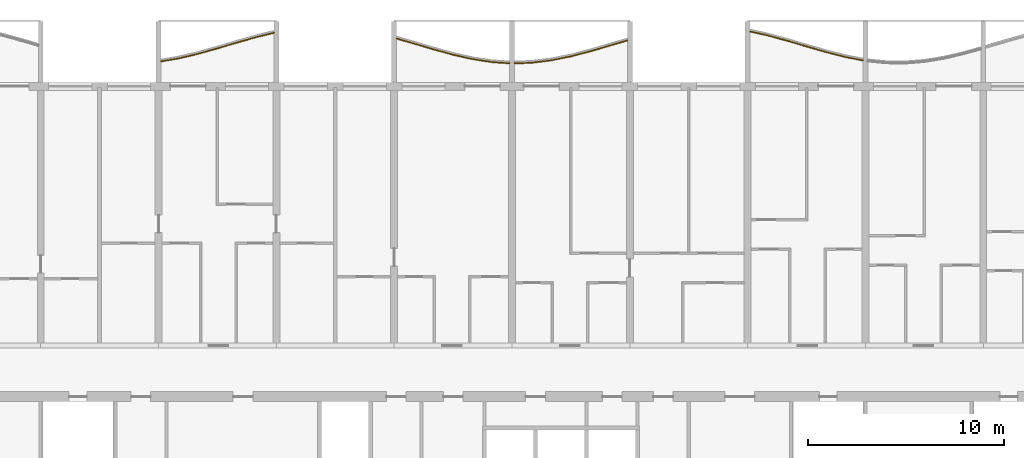
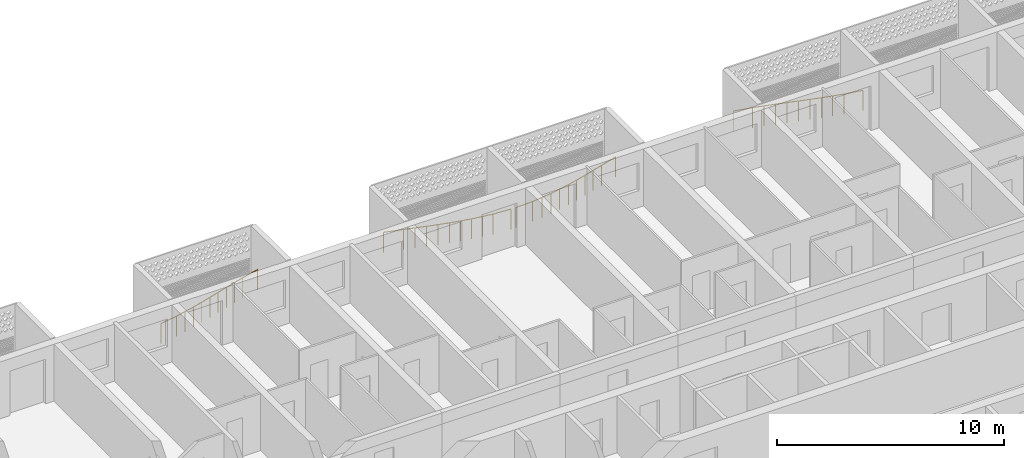
# One storey, part 22 of 26: 4 railings.
"""IFC4 building model written with IfcOpenShell, lengths in metres."""

from ifc_helpers import new_model, si_unit, direction, frame, origin, origin_2d, place, context, subcontext, project, spatial, circle, extrude, material, type_object, element, save


model = new_model("IFC4")

# Units and contexts
model_context = context("Model", 3, precision=1e-05, world=origin(), true_north=direction((0.0, 1.0)))
body_context = subcontext(model_context, "Body", "Model", "MODEL_VIEW")
ifc_project = project(units=[si_unit("LENGTHUNIT", "METRE"), si_unit("AREAUNIT", "SQUARE_METRE"), si_unit("VOLUMEUNIT", "CUBIC_METRE"), si_unit("PLANEANGLEUNIT", "RADIAN"), si_unit("MASSUNIT", "GRAM", prefix="KILO")], contexts=[model_context])

# Site, building, storey
site_placement = place(None, origin())
site = spatial("IfcSite", under=ifc_project, at=site_placement, CompositionType="ELEMENT")
building_placement = place(site_placement, origin())
building = spatial("IfcBuilding", under=site, at=building_placement, Name="Poui Terraces", CompositionType="ELEMENT")
storey_placement = place(building_placement, frame((0.0, 0.0, 96.0)))
storey = spatial("IfcBuildingStorey", under=building, at=storey_placement, Name="L26", CompositionType="ELEMENT", Elevation=96.0)

# Railings
ifc_material = material(Name="Painted steel fretwork", Category="steel")
railing_type = type_object("IfcRailingType", Name="BALCONY GUARD 1100", PredefinedType="GUARDRAIL", material=ifc_material)
railing_1_placement = place(storey_placement, frame((36.125, 44.870361328125, 0.0)))
element("IfcRailing", 1, at=railing_1_placement, inside=storey, type_object=railing_type, Name="BALCONY GUARD", PredefinedType="GUARDRAIL", context=body_context, shape_type="SweptSolid", body=[
    extrude(circle(Radius=0.02392578125, at=origin_2d()), frame((0.0, 0.0, 1.076171875), z_axis=(0.985823105924, 0.167787972828, 0.0), x_axis=(-0.167787972828, 0.985823105924, 0.0)), (0.0, 0.0, 1.0), 0.8876953125),
    extrude(circle(Radius=0.02392578125, at=origin_2d()), frame((0.875, 0.14892578125, 1.076171875), z_axis=(0.973510598085, 0.228641893398, 0.0), x_axis=(-0.228641893398, 0.973510598085, 0.0)), (0.0, 0.0, 1.0), 1.027099609375),
    extrude(circle(Radius=0.02392578125, at=origin_2d()), frame((1.875, 0.3837890625, 1.076171875), z_axis=(0.962895626656, 0.269874067237, 0.0), x_axis=(-0.269874067237, 0.962895626656, 0.0)), (0.0, 0.0, 1.0), 1.03857421875),
    extrude(circle(Radius=0.02392578125, at=origin_2d()), frame((2.875, 0.6640625, 1.076171875), z_axis=(0.958710700624, 0.284383179018, 0.0), x_axis=(-0.284383179018, 0.958710700624, 0.0)), (0.0, 0.0, 1.0), 1.04296875),
    extrude(circle(Radius=0.02392578125, at=origin_2d()), frame((3.875, 0.960693359375, 1.076171875), z_axis=(0.962282666556, 0.272051593719, 0.0), x_axis=(-0.272051593719, 0.962282666556, 0.0)), (0.0, 0.0, 1.0), 1.039306640625),
    extrude(circle(Radius=0.02392578125, at=origin_2d()), frame((4.875, 1.243408203125, 1.076171875), z_axis=(0.971591834647, 0.236662854812, 0.0), x_axis=(-0.236662854812, 0.971591834647, 0.0)), (0.0, 0.0, 1.0), 0.900634765625),
    extrude(circle(Radius=0.02099609375, at=origin_2d()), origin(), (0.0, 0.0, 1.0), 1.052001953125),
    extrude(circle(Radius=0.02099609375, at=origin_2d()), frame((0.875, 0.14892578125, 0.0)), (0.0, 0.0, 1.0), 1.052001953125),
    extrude(circle(Radius=0.02099609375, at=origin_2d()), frame((1.375, 0.266357421875, 0.0)), (0.0, 0.0, 1.0), 1.052001953125),
    extrude(circle(Radius=0.02099609375, at=origin_2d()), frame((1.875, 0.3837890625, 0.0)), (0.0, 0.0, 1.0), 1.052001953125),
    extrude(circle(Radius=0.02099609375, at=origin_2d()), frame((2.375, 0.52392578125, 0.0)), (0.0, 0.0, 1.0), 1.052001953125),
    extrude(circle(Radius=0.02099609375, at=origin_2d()), frame((2.875, 0.6640625, 0.0)), (0.0, 0.0, 1.0), 1.052001953125),
    extrude(circle(Radius=0.02099609375, at=origin_2d()), frame((3.375, 0.8125, 0.0)), (0.0, 0.0, 1.0), 1.052001953125),
    extrude(circle(Radius=0.02099609375, at=origin_2d()), frame((3.875, 0.960693359375, 0.0)), (0.0, 0.0, 1.0), 1.052001953125),
    extrude(circle(Radius=0.02099609375, at=origin_2d()), frame((4.375, 1.10205078125, 0.0)), (0.0, 0.0, 1.0), 1.052001953125),
    extrude(circle(Radius=0.02099609375, at=origin_2d()), frame((4.875, 1.243408203125, 0.0)), (0.0, 0.0, 1.0), 1.052001953125),
    extrude(circle(Radius=0.02099609375, at=origin_2d()), frame((5.75, 1.45654296875, 0.0)), (0.0, 0.0, 1.0), 1.052001953125),
])
railing_2_placement = place(storey_placement, frame((48.125, 46.03466796875, 0.0)))
element("IfcRailing", 2, at=railing_2_placement, inside=storey, type_object=railing_type, Name="BALCONY GUARD", PredefinedType="GUARDRAIL", context=body_context, shape_type="SweptSolid", body=[
    extrude(circle(Radius=0.02392578125, at=origin_2d()), frame((0.0, 0.0, 1.076171875), z_axis=(0.960669700127, -0.277693585193, 0.0), x_axis=(0.277693585193, 0.960669700127, 0.0)), (0.0, 0.0, 1.0), 0.910888671875),
    extrude(circle(Radius=0.02392578125, at=origin_2d()), frame((0.875, -0.2529296875, 1.076171875), z_axis=(0.958838249952, -0.283952831346, 0.0), x_axis=(0.283952831346, 0.958838249952, 0.0)), (0.0, 0.0, 1.0), 1.04296875),
    extrude(circle(Radius=0.02392578125, at=origin_2d()), frame((1.875, -0.549072265625, 1.076171875), z_axis=(0.964349713042, -0.264631122426, 0.0), x_axis=(0.264631122426, 0.964349713042, 0.0)), (0.0, 0.0, 1.0), 1.036865234375),
    extrude(circle(Radius=0.02392578125, at=origin_2d()), frame((2.875, -0.823486328125, 1.076171875), z_axis=(0.975640353268, -0.219376163418, 0.0), x_axis=(0.219376163418, 0.975640353268, 0.0)), (0.0, 0.0, 1.0), 1.02490234375),
    extrude(circle(Radius=0.02392578125, at=origin_2d()), frame((3.875, -1.04833984375, 1.076171875), z_axis=(0.988701415616, -0.149898334741, 0.0), x_axis=(0.149898334741, 0.988701415616, 0.0)), (0.0, 0.0, 1.0), 1.011474609375),
    extrude(circle(Radius=0.02392578125, at=origin_2d()), frame((4.875, -1.199951171875, 1.076171875), z_axis=(0.997614490352, -0.069031359823, 0.0), x_axis=(0.069031359823, 0.997614490352, 0.0)), (0.0, 0.0, 1.0), 0.877197265625),
    extrude(circle(Radius=0.02099609375, at=origin_2d()), origin(), (0.0, 0.0, 1.0), 1.052001953125),
    extrude(circle(Radius=0.02099609375, at=origin_2d()), frame((0.875, -0.2529296875, 0.0)), (0.0, 0.0, 1.0), 1.052001953125),
    extrude(circle(Radius=0.02099609375, at=origin_2d()), frame((1.375, -0.40087890625, 0.0)), (0.0, 0.0, 1.0), 1.052001953125),
    extrude(circle(Radius=0.02099609375, at=origin_2d()), frame((1.875, -0.549072265625, 0.0)), (0.0, 0.0, 1.0), 1.052001953125),
    extrude(circle(Radius=0.02099609375, at=origin_2d()), frame((2.375, -0.686279296875, 0.0)), (0.0, 0.0, 1.0), 1.052001953125),
    extrude(circle(Radius=0.02099609375, at=origin_2d()), frame((2.875, -0.823486328125, 0.0)), (0.0, 0.0, 1.0), 1.052001953125),
    extrude(circle(Radius=0.02099609375, at=origin_2d()), frame((3.375, -0.93603515625, 0.0)), (0.0, 0.0, 1.0), 1.052001953125),
    extrude(circle(Radius=0.02099609375, at=origin_2d()), frame((3.875, -1.04833984375, 0.0)), (0.0, 0.0, 1.0), 1.052001953125),
    extrude(circle(Radius=0.02099609375, at=origin_2d()), frame((4.375, -1.1240234375, 0.0)), (0.0, 0.0, 1.0), 1.052001953125),
    extrude(circle(Radius=0.02099609375, at=origin_2d()), frame((4.875, -1.199951171875, 0.0)), (0.0, 0.0, 1.0), 1.052001953125),
    extrude(circle(Radius=0.02099609375, at=origin_2d()), frame((5.75, -1.260498046875, 0.0)), (0.0, 0.0, 1.0), 1.052001953125),
])
railing_3_placement = place(storey_placement, frame((54.125, 44.77001953125, 0.0)))
element("IfcRailing", 3, at=railing_3_placement, inside=storey, type_object=railing_type, Name="BALCONY GUARD", PredefinedType="GUARDRAIL", context=body_context, shape_type="SweptSolid", body=[
    extrude(circle(Radius=0.02392578125, at=origin_2d()), frame((0.0, 0.0, 1.076171875), z_axis=(0.999291337102, 0.037640717218, 0.0), x_axis=(-0.037640717218, 0.999291337102, 0.0)), (0.0, 0.0, 1.0), 0.875732421875),
    extrude(circle(Radius=0.02392578125, at=origin_2d()), frame((0.875, 0.032958984375, 1.076171875), z_axis=(0.992426262271, 0.122841824944, 0.0), x_axis=(-0.122841824944, 0.992426262271, 0.0)), (0.0, 0.0, 1.0), 1.007568359375),
    extrude(circle(Radius=0.02392578125, at=origin_2d()), frame((1.875, 0.15673828125, 1.076171875), z_axis=(0.980080566497, 0.198600310106, 0.0), x_axis=(-0.198600310106, 0.980080566497, 0.0)), (0.0, 0.0, 1.0), 1.020263671875),
    extrude(circle(Radius=0.02392578125, at=origin_2d()), frame((2.875, 0.359375, 1.076171875), z_axis=(0.967589671846, 0.252527675587, 0.0), x_axis=(-0.252527675587, 0.967589671846, 0.0)), (0.0, 0.0, 1.0), 1.033447265625),
    extrude(circle(Radius=0.02392578125, at=origin_2d()), frame((3.875, 0.620361328125, 1.076171875), z_axis=(0.959852890267, 0.280503884192, 0.0), x_axis=(-0.280503884192, 0.959852890267, 0.0)), (0.0, 0.0, 1.0), 1.041748046875),
    extrude(circle(Radius=0.02392578125, at=origin_2d()), frame((4.875, 0.91259765625, 1.076171875), z_axis=(0.959229011415, 0.282629976578, 0.0), x_axis=(-0.282629976578, 0.959229011415, 0.0)), (0.0, 0.0, 1.0), 0.912109375),
    extrude(circle(Radius=0.02099609375, at=origin_2d()), origin(), (0.0, 0.0, 1.0), 1.052001953125),
    extrude(circle(Radius=0.02099609375, at=origin_2d()), frame((0.875, 0.032958984375, 0.0)), (0.0, 0.0, 1.0), 1.052001953125),
    extrude(circle(Radius=0.02099609375, at=origin_2d()), frame((1.375, 0.0947265625, 0.0)), (0.0, 0.0, 1.0), 1.052001953125),
    extrude(circle(Radius=0.02099609375, at=origin_2d()), frame((1.875, 0.15673828125, 0.0)), (0.0, 0.0, 1.0), 1.052001953125),
    extrude(circle(Radius=0.02099609375, at=origin_2d()), frame((2.375, 0.258056640625, 0.0)), (0.0, 0.0, 1.0), 1.052001953125),
    extrude(circle(Radius=0.02099609375, at=origin_2d()), frame((2.875, 0.359375, 0.0)), (0.0, 0.0, 1.0), 1.052001953125),
    extrude(circle(Radius=0.02099609375, at=origin_2d()), frame((3.375, 0.48974609375, 0.0)), (0.0, 0.0, 1.0), 1.052001953125),
    extrude(circle(Radius=0.02099609375, at=origin_2d()), frame((3.875, 0.620361328125, 0.0)), (0.0, 0.0, 1.0), 1.052001953125),
    extrude(circle(Radius=0.02099609375, at=origin_2d()), frame((4.375, 0.7666015625, 0.0)), (0.0, 0.0, 1.0), 1.052001953125),
    extrude(circle(Radius=0.02099609375, at=origin_2d()), frame((4.875, 0.91259765625, 0.0)), (0.0, 0.0, 1.0), 1.052001953125),
    extrude(circle(Radius=0.02099609375, at=origin_2d()), frame((5.75, 1.17041015625, 0.0)), (0.0, 0.0, 1.0), 1.052001953125),
])
railing_4_placement = place(storey_placement, frame((66.125, 46.3955078125, 0.0)))
element("IfcRailing", 4, at=railing_4_placement, inside=storey, type_object=railing_type, Name="BALCONY GUARD", PredefinedType="GUARDRAIL", context=body_context, shape_type="SweptSolid", body=[
    extrude(circle(Radius=0.02392578125, at=origin_2d()), frame((0.0, 0.0, 1.076171875), z_axis=(0.975865661819, -0.218371724548, 0.0), x_axis=(0.218371724548, 0.975865661819, 0.0)), (0.0, 0.0, 1.0), 0.896728515625),
    extrude(circle(Radius=0.02392578125, at=origin_2d()), frame((0.875, -0.19580078125, 1.076171875), z_axis=(0.965127211662, -0.261781331093, 0.0), x_axis=(0.261781331093, 0.965127211662, 0.0)), (0.0, 0.0, 1.0), 1.0361328125),
    extrude(circle(Radius=0.02392578125, at=origin_2d()), frame((1.875, -0.467041015625, 1.076171875), z_axis=(0.959029275123, -0.283306988012, 0.0), x_axis=(0.283306988012, 0.959029275123, 0.0)), (0.0, 0.0, 1.0), 1.042724609375),
    extrude(circle(Radius=0.02392578125, at=origin_2d()), frame((2.875, -0.762451171875, 1.076171875), z_axis=(0.960669700127, -0.277693585193, 0.0), x_axis=(0.277693585193, 0.960669700127, 0.0)), (0.0, 0.0, 1.0), 1.041015625),
    extrude(circle(Radius=0.02392578125, at=origin_2d()), frame((3.875, -1.051513671875, 1.076171875), z_axis=(0.969470524151, -0.245207876714, 0.0), x_axis=(0.245207876714, 0.969470524151, 0.0)), (0.0, 0.0, 1.0), 1.031494140625),
    extrude(circle(Radius=0.02392578125, at=origin_2d()), frame((4.875, -1.304443359375, 1.076171875), z_axis=(0.981403870586, -0.191954272679, 0.0), x_axis=(0.191954272679, 0.981403870586, 0.0)), (0.0, 0.0, 1.0), 0.8916015625),
    extrude(circle(Radius=0.02099609375, at=origin_2d()), origin(), (0.0, 0.0, 1.0), 1.052001953125),
    extrude(circle(Radius=0.02099609375, at=origin_2d()), frame((0.875, -0.19580078125, 0.0)), (0.0, 0.0, 1.0), 1.052001953125),
    extrude(circle(Radius=0.02099609375, at=origin_2d()), frame((1.375, -0.33154296875, 0.0)), (0.0, 0.0, 1.0), 1.052001953125),
    extrude(circle(Radius=0.02099609375, at=origin_2d()), frame((1.875, -0.467041015625, 0.0)), (0.0, 0.0, 1.0), 1.052001953125),
    extrude(circle(Radius=0.02099609375, at=origin_2d()), frame((2.375, -0.61474609375, 0.0)), (0.0, 0.0, 1.0), 1.052001953125),
    extrude(circle(Radius=0.02099609375, at=origin_2d()), frame((2.875, -0.762451171875, 0.0)), (0.0, 0.0, 1.0), 1.052001953125),
    extrude(circle(Radius=0.02099609375, at=origin_2d()), frame((3.375, -0.906982421875, 0.0)), (0.0, 0.0, 1.0), 1.052001953125),
    extrude(circle(Radius=0.02099609375, at=origin_2d()), frame((3.875, -1.051513671875, 0.0)), (0.0, 0.0, 1.0), 1.052001953125),
    extrude(circle(Radius=0.02099609375, at=origin_2d()), frame((4.375, -1.177978515625, 0.0)), (0.0, 0.0, 1.0), 1.052001953125),
    extrude(circle(Radius=0.02099609375, at=origin_2d()), frame((4.875, -1.304443359375, 0.0)), (0.0, 0.0, 1.0), 1.052001953125),
    extrude(circle(Radius=0.02099609375, at=origin_2d()), frame((5.75, -1.4755859375, 0.0)), (0.0, 0.0, 1.0), 1.052001953125),
])

save(model, "model.ifc")
